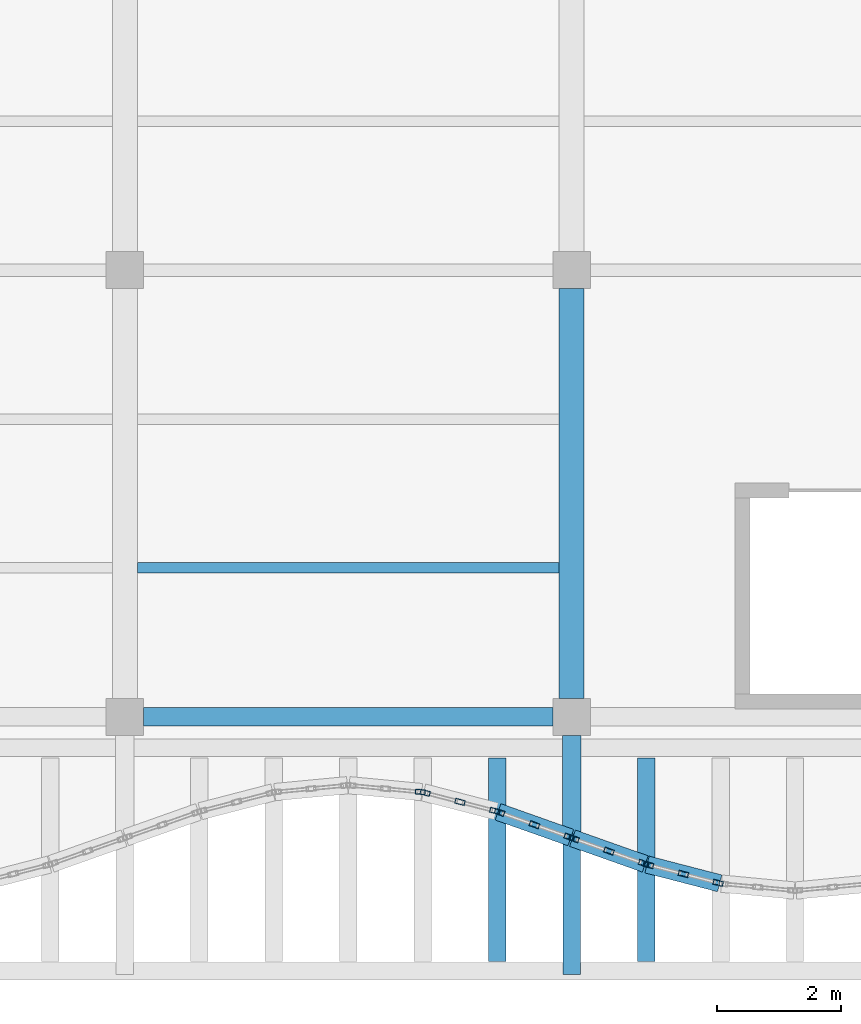
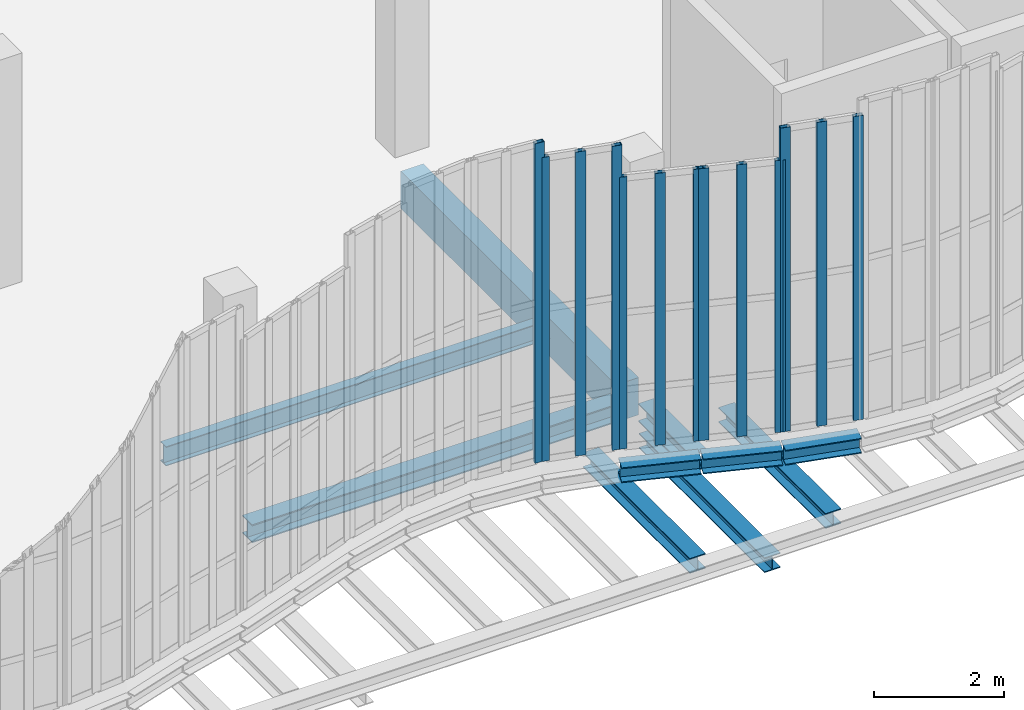
# One storey, part 22 of 76: 13 members, 10 beams, 5 elements without a shape of their own.
"""IFC4 building model written with IfcOpenShell, lengths in metres."""

from ifc_helpers import new_model, si_unit, direction, frame, origin, origin_2d, place, context, subcontext, project, spatial, rectangle, hollow_rectangle, i_section, extrude, material, layer, layer_set, material_profile, profile_set, type_object, element, aggregate, save


model = new_model("IFC4")

# Units and contexts
model_context = context("Model", 3, precision=1e-05, world=origin(), true_north=direction((0.0, 1.0)))
body_context = subcontext(model_context, "Body", "Model", "MODEL_VIEW")
ifc_project = project(units=[si_unit("LENGTHUNIT", "METRE"), si_unit("AREAUNIT", "SQUARE_METRE"), si_unit("VOLUMEUNIT", "CUBIC_METRE"), si_unit("PLANEANGLEUNIT", "RADIAN"), si_unit("MASSUNIT", "GRAM", prefix="KILO"), si_unit("THERMODYNAMICTEMPERATUREUNIT", "KELVIN"), si_unit("POWERUNIT", "WATT")], contexts=[model_context])

# Site, building, storey
site_placement = place(None, origin())
site = spatial("IfcSite", under=ifc_project, at=site_placement, CompositionType="ELEMENT")
building_placement = place(site_placement, origin())
building = spatial("IfcBuilding", under=site, at=building_placement, Name="Kaldorven Railside Theatre", CompositionType="ELEMENT")
storey_placement = place(building_placement, frame((0.0, 0.0, 14.39990234375)))
storey = spatial("IfcBuildingStorey", under=building, at=storey_placement, Name="L03", CompositionType="ELEMENT", Elevation=14.39990234375)

# Beams
ifc_material_1 = material(Name="Steel S355", Category="steel")
ifc_material_profile_1 = material_profile(ifc_material_1, i_section(OverallWidth=0.280029296875, OverallDepth=0.280029296875, WebThickness=0.010498046875, FlangeThickness=0.01806640625, at=origin_2d()), Name="HEB 280")
ifc_profile_set_1 = profile_set([ifc_material_profile_1], Name="Steel S355")
beam_type_1 = type_object("IfcBeamType", Name="BM-HEB280", PredefinedType="SPANDREL", material=ifc_profile_set_1)
beam_1_placement = place(storey_placement, frame((101.60009765625, 15.050048828125, -0.97998046875), z_axis=(0.0, 1.0, 0.0), x_axis=(-1.0, 0.0, 0.0)))
element("IfcBeam", 1, at=beam_1_placement, inside=storey, type_object=beam_type_1, Name="L03 Sinusoidal Lower Cantilever Girder FOB-K035", PredefinedType="SPANDREL", context=body_context, shape_type="SweptSolid", body=[
    extrude(i_section(OverallWidth=0.280029296875, OverallDepth=0.280029296875, WebThickness=0.010498046875, FlangeThickness=0.01806640625, at=origin_2d()), origin(), (0.0, 0.0, 1.0), 3.849853515625),
])
beam_2_placement = place(storey_placement, frame((100.4140625, 17.669921875, -0.419921875), z_axis=(0.942627225161, -0.333847142245, 0.0), x_axis=(0.333847142245, 0.942627225161, 0.0)))
element("IfcBeam", 2, at=beam_2_placement, inside=storey, type_object=beam_type_1, Name="L03 Sinusoidal Flute Edge Spandrel FSB-198", PredefinedType="SPANDREL", context=body_context, shape_type="SweptSolid", body=[
    extrude(i_section(OverallWidth=0.280029296875, OverallDepth=0.280029296875, WebThickness=0.010498046875, FlangeThickness=0.01806640625, at=origin_2d()), origin(), (0.0, 0.0, 1.0), 1.2431640625),
])
beam_3_placement = place(storey_placement, frame((100.39990234375, 15.260009765625, -0.699951171875), z_axis=(0.0, 1.0, 0.0), x_axis=(-1.0, 0.0, 0.0)))
element("IfcBeam", 3, at=beam_3_placement, inside=storey, type_object=beam_type_1, Name="L03 Sinusoidal Diaphragm Rib Outrigger FOB-M198", PredefinedType="SPANDREL", context=body_context, shape_type="SweptSolid", body=[
    extrude(i_section(OverallWidth=0.280029296875, OverallDepth=0.280029296875, WebThickness=0.010498046875, FlangeThickness=0.01806640625, at=origin_2d()), origin(), (0.0, 0.0, 1.0), 3.280029296875),
])
beam_4_placement = place(storey_placement, frame((101.614013671875, 17.2451171875, -0.419921875), z_axis=(0.942627225161, -0.333847142245, 0.0), x_axis=(0.333847142245, 0.942627225161, 0.0)))
element("IfcBeam", 4, at=beam_4_placement, inside=storey, type_object=beam_type_1, Name="L03 Sinusoidal Flute Edge Spandrel FSB-199", PredefinedType="SPANDREL", context=body_context, shape_type="SweptSolid", body=[
    extrude(i_section(OverallWidth=0.280029296875, OverallDepth=0.280029296875, WebThickness=0.010498046875, FlangeThickness=0.01806640625, at=origin_2d()), origin(), (0.0, 0.0, 1.0), 1.2431640625),
])
beam_5_placement = place(storey_placement, frame((102.814453125, 16.8212890625, -0.419921875), z_axis=(0.967980555895, -0.25102518481, 0.0), x_axis=(0.25102518481, 0.967980555895, 0.0)))
element("IfcBeam", 5, at=beam_5_placement, inside=storey, type_object=beam_type_1, Name="L03 Sinusoidal Flute Edge Spandrel FSB-200", PredefinedType="SPANDREL", context=body_context, shape_type="SweptSolid", body=[
    extrude(i_section(OverallWidth=0.280029296875, OverallDepth=0.280029296875, WebThickness=0.010498046875, FlangeThickness=0.01806640625, at=origin_2d()), origin(), (0.0, 0.0, 1.0), 1.2099609375),
])
beam_6_placement = place(storey_placement, frame((102.800048828125, 15.260009765625, -0.699951171875), z_axis=(0.0, 1.0, 0.0), x_axis=(-1.0, 0.0, 0.0)))
element("IfcBeam", 6, at=beam_6_placement, inside=storey, type_object=beam_type_1, Name="L03 Sinusoidal Diaphragm Rib Outrigger FOB-M200", PredefinedType="SPANDREL", context=body_context, shape_type="SweptSolid", body=[
    extrude(i_section(OverallWidth=0.280029296875, OverallDepth=0.280029296875, WebThickness=0.010498046875, FlangeThickness=0.01806640625, at=origin_2d()), origin(), (0.0, 0.0, 1.0), 3.280029296875),
])
ifc_material_profile_2 = material_profile(ifc_material_1, i_section(OverallWidth=0.300048828125, OverallDepth=0.340087890625, WebThickness=0.011962890625, FlangeThickness=0.021484375, at=origin_2d()), Name="HEB 340")
ifc_profile_set_2 = profile_set([ifc_material_profile_2], Name="Steel S355")
beam_type_2 = type_object("IfcBeamType", Name="BM-HEB340", PredefinedType="SPANDREL", material=ifc_profile_set_2)
beam_7_placement = place(storey_placement, frame((94.699951171875, 19.199951171875, -0.449951171875), z_axis=(1.0, 0.0, 0.0), x_axis=(0.0, 1.0, 0.0)))
element("IfcBeam", 7, at=beam_7_placement, inside=storey, type_object=beam_type_2, Name="L03 Girder BGX-L03-094-019", PredefinedType="SPANDREL", context=body_context, shape_type="SweptSolid", body=[
    extrude(i_section(OverallWidth=0.300048828125, OverallDepth=0.340087890625, WebThickness=0.011962890625, FlangeThickness=0.021484375, at=origin_2d()), origin(), (0.0, 0.0, 1.0), 6.60009765625),
])
beam_8_placement = place(storey_placement, frame((101.60009765625, 17.31005859375, -0.449951171875), z_axis=(0.0, 1.0, 0.0), x_axis=(-1.0, 0.0, 0.0)))
element("IfcBeam", 8, at=beam_8_placement, inside=storey, type_object=beam_type_2, Name="L03 Sinusoidal Veil Outrigger FOB-3101", PredefinedType="SPANDREL", context=body_context, shape_type="SweptSolid", body=[
    extrude(i_section(OverallWidth=0.300048828125, OverallDepth=0.340087890625, WebThickness=0.011962890625, FlangeThickness=0.021484375, at=origin_2d()), origin(), (0.0, 0.0, 1.0), 1.58984375),
])
ifc_material_profile_3 = material_profile(ifc_material_1, i_section(OverallWidth=0.169921875, OverallDepth=0.360107421875, WebThickness=0.008056640625, FlangeThickness=0.0126953125, at=origin_2d()), Name="IPE 360")
ifc_profile_set_3 = profile_set([ifc_material_profile_3], Name="Steel S355")
beam_type_3 = type_object("IfcBeamType", Name="BM-IPE360", PredefinedType="JOIST", material=ifc_profile_set_3)
beam_9_placement = place(storey_placement, frame((94.60009765625, 21.60009765625, -0.4599609375), z_axis=(1.0, 0.0, 0.0), x_axis=(0.0, 1.0, 0.0)))
element("IfcBeam", 9, at=beam_9_placement, inside=storey, type_object=beam_type_3, Name="L03 Secondary Floor Joist JG-L03-094-0216", PredefinedType="JOIST", context=body_context, shape_type="SweptSolid", body=[
    extrude(i_section(OverallWidth=0.169921875, OverallDepth=0.360107421875, WebThickness=0.008056640625, FlangeThickness=0.0126953125, at=origin_2d()), origin(), (0.0, 0.0, 1.0), 6.7998046875),
])
ifc_material_2 = material(Name="Concrete C40/50", Category="concrete")
ifc_material_profile_4 = material_profile(ifc_material_2, rectangle(XDim=0.39990234375, YDim=0.699951171875, at=origin_2d()), Name="RC 400x700")
ifc_profile_set_4 = profile_set([ifc_material_profile_4], Name="Concrete C40/50")
beam_type_4 = type_object("IfcBeamType", Name="BM-RC400x700", PredefinedType="BEAM", material=ifc_profile_set_4)
beam_10_placement = place(storey_placement, frame((101.60009765625, 19.5, -0.6298828125), z_axis=(0.0, 1.0, 0.0), x_axis=(-1.0, 0.0, 0.0)))
element("IfcBeam", 10, at=beam_10_placement, inside=storey, type_object=beam_type_4, Name="L03 Girder BGY-L03-101-019-72", PredefinedType="BEAM", context=body_context, shape_type="SweptSolid", body=[
    extrude(rectangle(XDim=0.39990234375, YDim=0.699951171875, at=origin_2d()), origin(), (0.0, 0.0, 1.0), 6.60009765625),
])

# Curtain wall, member
ifc_material_3 = material(Name="Low-E laminated solar-control glass", Category="glass")
ifc_layer_1 = layer(ifc_material_3, 0.159912109375, Name="Low-E laminated solar-control glass")
ifc_layer_set_1 = layer_set([ifc_layer_1], Name="Low-E laminated solar-control glass")
curtain_wall_type_1 = type_object("IfcCurtainWallType", Name="CWT-10", PredefinedType="USERDEFINED", material=ifc_layer_set_1)
curtain_wall_1_placement = place(storey_placement, origin())
curtain_wall_1 = element("IfcCurtainWall", 11, at=curtain_wall_1_placement, inside=storey, type_object=curtain_wall_type_1, Name="Sinusoidal Fluted Curtain Wall CW-L03-S52", ObjectType="FLUTED GLAZING", PredefinedType="USERDEFINED")
ifc_material_4 = material(Name="Anodised bronze aluminium", Category="aluminium")
ifc_material_profile_5 = material_profile(ifc_material_4, hollow_rectangle(XDim=0.080078125, YDim=0.159912109375, WallThickness=0.00634765625, at=origin_2d()), Name="RHS 160x80x6.3")
ifc_profile_set_5 = profile_set([ifc_material_profile_5], Name="Anodised bronze aluminium")
member_type = type_object("IfcMemberType", Name="CWM-160", PredefinedType="MULLION", material=ifc_profile_set_5)
member_1_placement = place(storey_placement, frame((99.16015625, 17.989990234375, 0.0), z_axis=(0.0, 0.0, 1.0), x_axis=(0.094491973758, 0.995525623425, 0.0)))
member_1 = element("IfcMember", 12, at=member_1_placement, type_object=member_type, Name="CW-L03-S52 mullion 3", PredefinedType="MULLION", context=body_context, shape_type="SweptSolid", body=[
    extrude(hollow_rectangle(XDim=0.080078125, YDim=0.159912109375, WallThickness=0.00634765625, at=origin_2d()), origin(), (0.0, 0.0, 1.0), 5.97998046875),
])
aggregate(curtain_wall_1, [member_1])

# Curtain wall, members
ifc_layer_2 = layer(ifc_material_3, 0.159912109375, Name="Low-E laminated solar-control glass")
ifc_layer_set_2 = layer_set([ifc_layer_2], Name="Low-E laminated solar-control glass")
curtain_wall_type_2 = type_object("IfcCurtainWallType", Name="CWT-09", PredefinedType="USERDEFINED", material=ifc_layer_set_2)
curtain_wall_2_placement = place(storey_placement, origin())
curtain_wall_2 = element("IfcCurtainWall", 13, at=curtain_wall_2_placement, inside=storey, type_object=curtain_wall_type_2, Name="Sinusoidal Fluted Curtain Wall CW-L03-S53", ObjectType="FLUTED GLAZING", PredefinedType="USERDEFINED")
member_2_placement = place(storey_placement, frame((99.23876953125, 17.97607421875, 0.0), z_axis=(0.0, 0.0, 1.0), x_axis=(0.250953760326, 0.967999075505, 0.0)))
member_2 = element("IfcMember", 14, at=member_2_placement, type_object=member_type, Name="CW-L03-S53 mullion 1", PredefinedType="MULLION", context=body_context, shape_type="SweptSolid", body=[
    extrude(hollow_rectangle(XDim=0.080078125, YDim=0.159912109375, WallThickness=0.00634765625, at=origin_2d()), origin(), (0.0, 0.0, 1.0), 5.690185546875),
])
member_3_placement = place(storey_placement, frame((99.800048828125, 17.83056640625, 0.0), z_axis=(0.0, 0.0, 1.0), x_axis=(0.250953760326, 0.967999075505, 0.0)))
member_3 = element("IfcMember", 15, at=member_3_placement, type_object=member_type, Name="CW-L03-S53 mullion 2", PredefinedType="MULLION", context=body_context, shape_type="SweptSolid", body=[
    extrude(hollow_rectangle(XDim=0.080078125, YDim=0.159912109375, WallThickness=0.00634765625, at=origin_2d()), origin(), (0.0, 0.0, 1.0), 5.690185546875),
])
member_4_placement = place(storey_placement, frame((100.361328125, 17.68505859375, 0.0), z_axis=(0.0, 0.0, 1.0), x_axis=(0.250953760326, 0.967999075505, 0.0)))
member_4 = element("IfcMember", 16, at=member_4_placement, type_object=member_type, Name="CW-L03-S53 mullion 3", PredefinedType="MULLION", context=body_context, shape_type="SweptSolid", body=[
    extrude(hollow_rectangle(XDim=0.080078125, YDim=0.159912109375, WallThickness=0.00634765625, at=origin_2d()), origin(), (0.0, 0.0, 1.0), 5.690185546875),
])
aggregate(curtain_wall_2, [member_2, member_3, member_4])

ifc_layer_3 = layer(ifc_material_3, 0.159912109375, Name="Low-E laminated solar-control glass")
ifc_layer_set_3 = layer_set([ifc_layer_3], Name="Low-E laminated solar-control glass")
curtain_wall_type_3 = type_object("IfcCurtainWallType", Name="CWT-08", PredefinedType="USERDEFINED", material=ifc_layer_set_3)
curtain_wall_3_placement = place(storey_placement, origin())
curtain_wall_3 = element("IfcCurtainWall", 17, at=curtain_wall_3_placement, inside=storey, type_object=curtain_wall_type_3, Name="Sinusoidal Fluted Curtain Wall CW-L03-S54", ObjectType="FLUTED GLAZING", PredefinedType="USERDEFINED")
member_5_placement = place(storey_placement, frame((100.437744140625, 17.66162109375, 0.0), z_axis=(0.0, 0.0, 1.0), x_axis=(0.33384714225, 0.942627225159, 0.0)))
member_5 = element("IfcMember", 18, at=member_5_placement, type_object=member_type, Name="CW-L03-S54 mullion 1", PredefinedType="MULLION", context=body_context, shape_type="SweptSolid", body=[
    extrude(hollow_rectangle(XDim=0.080078125, YDim=0.159912109375, WallThickness=0.00634765625, at=origin_2d()), origin(), (0.0, 0.0, 1.0), 5.090087890625),
])
member_6_placement = place(storey_placement, frame((101.0, 17.46240234375, 0.0), z_axis=(0.0, 0.0, 1.0), x_axis=(0.33384714225, 0.942627225159, 0.0)))
member_6 = element("IfcMember", 19, at=member_6_placement, type_object=member_type, Name="CW-L03-S54 mullion 2", PredefinedType="MULLION", context=body_context, shape_type="SweptSolid", body=[
    extrude(hollow_rectangle(XDim=0.080078125, YDim=0.159912109375, WallThickness=0.00634765625, at=origin_2d()), origin(), (0.0, 0.0, 1.0), 5.090087890625),
])
member_7_placement = place(storey_placement, frame((101.562255859375, 17.263427734375, 0.0), z_axis=(0.0, 0.0, 1.0), x_axis=(0.33384714225, 0.942627225159, 0.0)))
member_7 = element("IfcMember", 20, at=member_7_placement, type_object=member_type, Name="CW-L03-S54 mullion 3", PredefinedType="MULLION", context=body_context, shape_type="SweptSolid", body=[
    extrude(hollow_rectangle(XDim=0.080078125, YDim=0.159912109375, WallThickness=0.00634765625, at=origin_2d()), origin(), (0.0, 0.0, 1.0), 5.090087890625),
])
aggregate(curtain_wall_3, [member_5, member_6, member_7])

curtain_wall_4_placement = place(storey_placement, origin())
curtain_wall_4 = element("IfcCurtainWall", 21, at=curtain_wall_4_placement, inside=storey, type_object=curtain_wall_type_3, Name="Sinusoidal Fluted Curtain Wall CW-L03-S55", ObjectType="FLUTED GLAZING", PredefinedType="USERDEFINED")
member_8_placement = place(storey_placement, frame((101.6376953125, 17.236572265625, 0.0), z_axis=(0.0, 0.0, 1.0), x_axis=(0.33384714225, 0.942627225159, 0.0)))
member_8 = element("IfcMember", 22, at=member_8_placement, type_object=member_type, Name="CW-L03-S55 mullion 1", PredefinedType="MULLION", context=body_context, shape_type="SweptSolid", body=[
    extrude(hollow_rectangle(XDim=0.080078125, YDim=0.159912109375, WallThickness=0.00634765625, at=origin_2d()), origin(), (0.0, 0.0, 1.0), 5.090087890625),
])
member_9_placement = place(storey_placement, frame((102.199951171875, 17.03759765625, 0.0), z_axis=(0.0, 0.0, 1.0), x_axis=(0.33384714225, 0.942627225159, 0.0)))
member_9 = element("IfcMember", 23, at=member_9_placement, type_object=member_type, Name="CW-L03-S55 mullion 2", PredefinedType="MULLION", context=body_context, shape_type="SweptSolid", body=[
    extrude(hollow_rectangle(XDim=0.080078125, YDim=0.159912109375, WallThickness=0.00634765625, at=origin_2d()), origin(), (0.0, 0.0, 1.0), 5.090087890625),
])
member_10_placement = place(storey_placement, frame((102.76220703125, 16.83837890625, 0.0), z_axis=(0.0, 0.0, 1.0), x_axis=(0.33384714225, 0.942627225159, 0.0)))
member_10 = element("IfcMember", 24, at=member_10_placement, type_object=member_type, Name="CW-L03-S55 mullion 3", PredefinedType="MULLION", context=body_context, shape_type="SweptSolid", body=[
    extrude(hollow_rectangle(XDim=0.080078125, YDim=0.159912109375, WallThickness=0.00634765625, at=origin_2d()), origin(), (0.0, 0.0, 1.0), 5.090087890625),
])
aggregate(curtain_wall_4, [member_8, member_9, member_10])

curtain_wall_5_placement = place(storey_placement, origin())
curtain_wall_5 = element("IfcCurtainWall", 25, at=curtain_wall_5_placement, inside=storey, type_object=curtain_wall_type_2, Name="Sinusoidal Fluted Curtain Wall CW-L03-S56", ObjectType="FLUTED GLAZING", PredefinedType="USERDEFINED")
member_11_placement = place(storey_placement, frame((102.838623046875, 16.81494140625, 0.0), z_axis=(0.0, 0.0, 1.0), x_axis=(0.250953760326, 0.967999075505, 0.0)))
member_11 = element("IfcMember", 26, at=member_11_placement, type_object=member_type, Name="CW-L03-S56 mullion 1", PredefinedType="MULLION", context=body_context, shape_type="SweptSolid", body=[
    extrude(hollow_rectangle(XDim=0.080078125, YDim=0.159912109375, WallThickness=0.00634765625, at=origin_2d()), origin(), (0.0, 0.0, 1.0), 5.690185546875),
])
member_12_placement = place(storey_placement, frame((103.39990234375, 16.66943359375, 0.0), z_axis=(0.0, 0.0, 1.0), x_axis=(0.250953760326, 0.967999075505, 0.0)))
member_12 = element("IfcMember", 27, at=member_12_placement, type_object=member_type, Name="CW-L03-S56 mullion 2", PredefinedType="MULLION", context=body_context, shape_type="SweptSolid", body=[
    extrude(hollow_rectangle(XDim=0.080078125, YDim=0.159912109375, WallThickness=0.00634765625, at=origin_2d()), origin(), (0.0, 0.0, 1.0), 5.690185546875),
])
member_13_placement = place(storey_placement, frame((103.961181640625, 16.52392578125, 0.0), z_axis=(0.0, 0.0, 1.0), x_axis=(0.250953760326, 0.967999075505, 0.0)))
member_13 = element("IfcMember", 28, at=member_13_placement, type_object=member_type, Name="CW-L03-S56 mullion 3", PredefinedType="MULLION", context=body_context, shape_type="SweptSolid", body=[
    extrude(hollow_rectangle(XDim=0.080078125, YDim=0.159912109375, WallThickness=0.00634765625, at=origin_2d()), origin(), (0.0, 0.0, 1.0), 5.690185546875),
])
aggregate(curtain_wall_5, [member_11, member_12, member_13])

save(model, "model.ifc")
